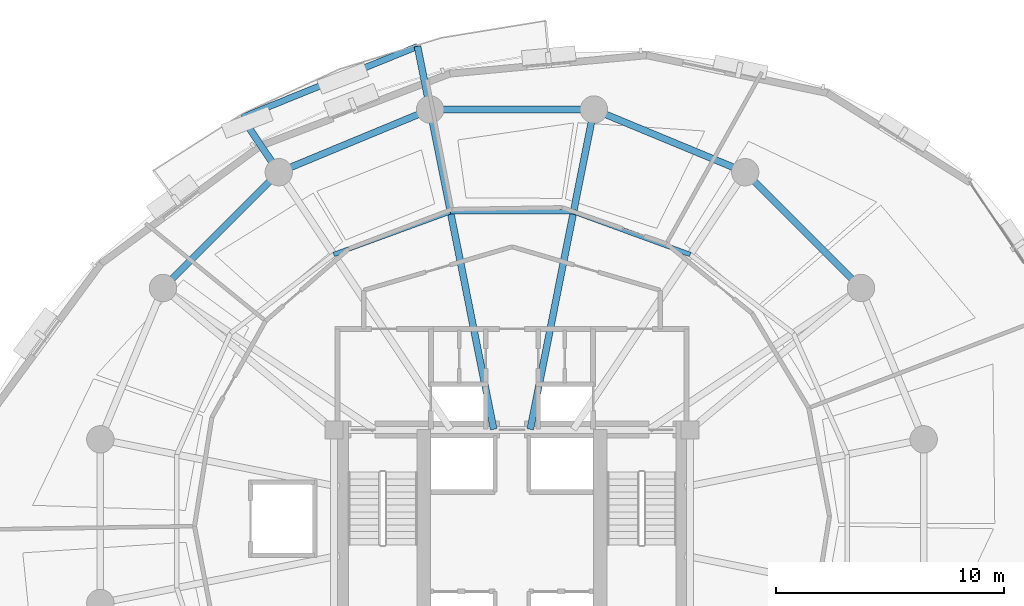
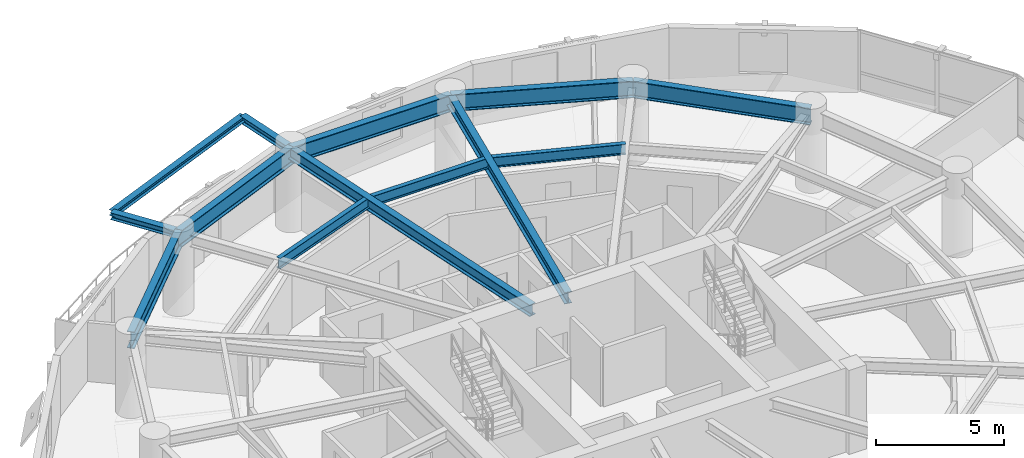
# One storey, part 7 of 15: 13 beams.
"""IFC4 building model written with IfcOpenShell, lengths in metres."""

from ifc_helpers import new_model, si_unit, direction, frame, origin, origin_2d, place, context, subcontext, project, spatial, i_section, extrude, material, material_profile, profile_set, type_object, element, save


model = new_model("IFC4")

# Units and contexts
model_context = context("Model", 3, precision=1e-05, world=origin(), true_north=direction((0.0, 1.0)))
body_context = subcontext(model_context, "Body", "Model", "MODEL_VIEW")
ifc_project = project(units=[si_unit("LENGTHUNIT", "METRE"), si_unit("AREAUNIT", "SQUARE_METRE"), si_unit("VOLUMEUNIT", "CUBIC_METRE"), si_unit("PLANEANGLEUNIT", "RADIAN"), si_unit("MASSUNIT", "GRAM", prefix="KILO"), si_unit("THERMODYNAMICTEMPERATUREUNIT", "KELVIN"), si_unit("POWERUNIT", "WATT")], contexts=[model_context])

# Site, building, storey
site_placement = place(None, origin())
site = spatial("IfcSite", under=ifc_project, at=site_placement, CompositionType="ELEMENT")
building_placement = place(site_placement, origin())
building = spatial("IfcBuilding", under=site, at=building_placement, Name="Ocrelia Relay Tower", CompositionType="ELEMENT")
storey_placement = place(building_placement, frame((0.0, 0.0, 121.800048828125)))
storey = spatial("IfcBuildingStorey", under=building, at=storey_placement, Name="L28", CompositionType="ELEMENT", Elevation=121.800048828125)

# Beams
ifc_material = material(Name="Steel S355", Category="steel")
ifc_material_profile_1 = material_profile(ifc_material, i_section(OverallWidth=0.280029296875, OverallDepth=0.27001953125, WebThickness=0.008056640625, FlangeThickness=0.012939453125, FilletRadius=0.02392578125, at=origin_2d()), Name="HEA 280")
ifc_profile_set_1 = profile_set([ifc_material_profile_1], Name="Steel S355")
beam_type_1 = type_object("IfcBeamType", Name="BM-HEA280", PredefinedType="BEAM", material=ifc_profile_set_1)
beam_1_placement = place(storey_placement, frame((29.859375, 46.81591796875, 3.5849609375), z_axis=(-0.926704083886, -0.375791885102, 0.0), x_axis=(0.375791885102, -0.926704083886, 0.0)))
element("IfcBeam", 1, at=beam_1_placement, inside=storey, type_object=beam_type_1, Name="L29 Balcony Edge Trimmer Beam B1", PredefinedType="BEAM", context=body_context, shape_type="SweptSolid", body=[
    extrude(i_section(OverallWidth=0.280029296875, OverallDepth=0.27001953125, WebThickness=0.008056640625, FlangeThickness=0.012939453125, FilletRadius=0.02392578125, at=origin_2d()), origin(), (0.0, 0.0, 1.0), 8.293701171875),
])
ifc_material_profile_2 = material_profile(ifc_material, i_section(OverallWidth=0.300048828125, OverallDepth=0.330078125, WebThickness=0.009521484375, FlangeThickness=0.0166015625, FilletRadius=0.027099609375, at=origin_2d()), Name="HEA 340")
ifc_profile_set_2 = profile_set([ifc_material_profile_2], Name="Steel S355")
beam_type_2 = type_object("IfcBeamType", Name="BM-HEA340", PredefinedType="BEAM", material=ifc_profile_set_2)
beam_2_placement = place(storey_placement, frame((30.410400390625, 44.04638671875, 3.554931640625), z_axis=(-0.19513507441, 0.980776377537, 0.0), x_axis=(-0.980776377537, -0.19513507441, 0.0)))
element("IfcBeam", 2, at=beam_2_placement, inside=storey, type_object=beam_type_2, Name="L29 Balcony Cantilever Beam B1-1", PredefinedType="BEAM", context=body_context, shape_type="SweptSolid", body=[
    extrude(i_section(OverallWidth=0.300048828125, OverallDepth=0.330078125, WebThickness=0.009521484375, FlangeThickness=0.0166015625, FilletRadius=0.027099609375, at=origin_2d()), origin(), (0.0, 0.0, 1.0), 2.82373046875),
])
beam_3_placement = place(storey_placement, frame((23.777587890625, 41.299072265625, 3.554931640625), z_axis=(-0.555636639828, 0.831425236856, 0.0), x_axis=(-0.831425236856, -0.555636639828, 0.0)))
element("IfcBeam", 3, at=beam_3_placement, inside=storey, type_object=beam_type_2, Name="L29 Balcony Cantilever Beam B1-2", PredefinedType="BEAM", context=body_context, shape_type="SweptSolid", body=[
    extrude(i_section(OverallWidth=0.300048828125, OverallDepth=0.330078125, WebThickness=0.009521484375, FlangeThickness=0.0166015625, FilletRadius=0.027099609375, at=origin_2d()), origin(), (0.0, 0.0, 1.0), 2.88671875),
])
ifc_material_profile_3 = material_profile(ifc_material, i_section(OverallWidth=0.300048828125, OverallDepth=0.550048828125, WebThickness=0.014892578125, FlangeThickness=0.029052734375, FilletRadius=0.027099609375, at=origin_2d()), Name="HEB 550")
ifc_profile_set_3 = profile_set([ifc_material_profile_3], Name="Steel S355")
beam_type_3 = type_object("IfcBeamType", Name="BM-HEB550", PredefinedType="BEAM", material=ifc_profile_set_3)
for number, where, z_axis, x_axis, name in (
    (4, (37.589599609375, 44.04638671875, 3.445068359375), (-0.195094300142, -0.980784489096, 0.0), (0.980784489096, -0.195094300142, 0.0), "L28 Radial Floor Girder R04"),
    (5, (30.410400390625, 44.04638671875, 3.445068359375), (0.195094300142, -0.980784489096, 0.0), (0.980784489096, 0.195094300142, 0.0), "L28 Radial Floor Girder R05"),
):
    element("IfcBeam", number, at=place(storey_placement, frame(where, z_axis=z_axis, x_axis=x_axis)), inside=storey, type_object=beam_type_3, Name=name, PredefinedType="BEAM", context=body_context, shape_type="SweptSolid", body=[
        extrude(i_section(OverallWidth=0.300048828125, OverallDepth=0.550048828125, WebThickness=0.014892578125, FlangeThickness=0.029052734375, FilletRadius=0.027099609375, at=origin_2d()), origin(), (0.0, 0.0, 1.0), 14.291015625),
    ])
ifc_material_profile_4 = material_profile(ifc_material, i_section(OverallWidth=0.300048828125, OverallDepth=0.800048828125, WebThickness=0.017578125, FlangeThickness=0.032958984375, FilletRadius=0.030029296875, at=origin_2d()), Name="HEB 800")
ifc_profile_set_4 = profile_set([ifc_material_profile_4], Name="Steel S355")
beam_type_4 = type_object("IfcBeamType", Name="BM-HEB800", PredefinedType="BEAM", material=ifc_profile_set_4)
beam_4_placement = place(storey_placement, frame((49.299072265625, 36.222412109375, 3.320068359375), z_axis=(-0.707106781187, 0.707106781187, 0.0), x_axis=(-0.707106781187, -0.707106781187, 0.0)))
element("IfcBeam", 6, at=beam_4_placement, inside=storey, type_object=beam_type_4, Name="L28 Perimeter Spandrel Beam S02", PredefinedType="BEAM", context=body_context, shape_type="SweptSolid", body=[
    extrude(i_section(OverallWidth=0.300048828125, OverallDepth=0.800048828125, WebThickness=0.017578125, FlangeThickness=0.032958984375, FilletRadius=0.030029296875, at=origin_2d()), origin(), (0.0, 0.0, 1.0), 7.179443359375),
])
for number, where, z_axis, x_axis, name in (
    (7, (44.222412109375, 41.299072265625, 3.320068359375), (-0.923883789366, 0.382673155247, 0.0), (-0.382673155247, -0.923883789366, 0.0), "L28 Perimeter Spandrel Beam S03"),
    (8, (37.589599609375, 44.04638671875, 3.320068359375), (-1.0, 0.0, 0.0), (0.0, -1.0, 0.0), "L28 Perimeter Spandrel Beam S04"),
    (9, (30.410400390625, 44.04638671875, 3.320068359375), (-0.923883789366, -0.382673155247, 0.0), (0.382673155247, -0.923883789366, 0.0), "L28 Perimeter Spandrel Beam S05"),
):
    element("IfcBeam", number, at=place(storey_placement, frame(where, z_axis=z_axis, x_axis=x_axis)), inside=storey, type_object=beam_type_4, Name=name, PredefinedType="BEAM", context=body_context, shape_type="SweptSolid", body=[
        extrude(i_section(OverallWidth=0.300048828125, OverallDepth=0.800048828125, WebThickness=0.017578125, FlangeThickness=0.032958984375, FilletRadius=0.030029296875, at=origin_2d()), origin(), (0.0, 0.0, 1.0), 7.17919921875),
    ])
beam_5_placement = place(storey_placement, frame((23.777587890625, 41.299072265625, 3.320068359375), z_axis=(-0.707106781187, -0.707106781187, 0.0), x_axis=(0.707106781187, -0.707106781187, 0.0)))
element("IfcBeam", 10, at=beam_5_placement, inside=storey, type_object=beam_type_4, Name="L28 Perimeter Spandrel Beam S06", PredefinedType="BEAM", context=body_context, shape_type="SweptSolid", body=[
    extrude(i_section(OverallWidth=0.300048828125, OverallDepth=0.800048828125, WebThickness=0.017578125, FlangeThickness=0.032958984375, FilletRadius=0.030029296875, at=origin_2d()), origin(), (0.0, 0.0, 1.0), 7.179443359375),
])
ifc_material_profile_5 = material_profile(ifc_material, i_section(OverallWidth=0.199951171875, OverallDepth=0.5, WebThickness=0.01025390625, FlangeThickness=0.01611328125, FilletRadius=0.02099609375, at=origin_2d()), Name="IPE 500")
ifc_profile_set_5 = profile_set([ifc_material_profile_5], Name="Steel S355")
beam_type_5 = type_object("IfcBeamType", Name="BM-IPE500", PredefinedType="JOIST", material=ifc_profile_set_5)
beam_6_placement = place(storey_placement, frame((41.81298828125, 37.69287109375, 3.469970703125), z_axis=(-0.93930687927, 0.34307810562, 0.0), x_axis=(-0.34307810562, -0.93930687927, 0.0)))
element("IfcBeam", 11, at=beam_6_placement, inside=storey, type_object=beam_type_5, Name="L28 Secondary Floor Joist J03", PredefinedType="JOIST", context=body_context, shape_type="SweptSolid", body=[
    extrude(i_section(OverallWidth=0.199951171875, OverallDepth=0.5, WebThickness=0.01025390625, FlangeThickness=0.01611328125, FilletRadius=0.02099609375, at=origin_2d()), origin(), (0.0, 0.0, 1.0), 5.446044921875),
])
beam_7_placement = place(storey_placement, frame((36.697509765625, 39.561279296875, 3.469970703125), z_axis=(-1.0, 0.0, 0.0), x_axis=(0.0, -1.0, 0.0)))
element("IfcBeam", 12, at=beam_7_placement, inside=storey, type_object=beam_type_5, Name="L28 Secondary Floor Joist J04", PredefinedType="JOIST", context=body_context, shape_type="SweptSolid", body=[
    extrude(i_section(OverallWidth=0.199951171875, OverallDepth=0.5, WebThickness=0.01025390625, FlangeThickness=0.01611328125, FilletRadius=0.02099609375, at=origin_2d()), origin(), (0.0, 0.0, 1.0), 5.39501953125),
])
beam_8_placement = place(storey_placement, frame((31.302490234375, 39.561279296875, 3.469970703125), z_axis=(-0.93930687927, -0.34307810562, 0.0), x_axis=(0.34307810562, -0.93930687927, 0.0)))
element("IfcBeam", 13, at=beam_8_placement, inside=storey, type_object=beam_type_5, Name="L28 Secondary Floor Joist J05", PredefinedType="JOIST", context=body_context, shape_type="SweptSolid", body=[
    extrude(i_section(OverallWidth=0.199951171875, OverallDepth=0.5, WebThickness=0.01025390625, FlangeThickness=0.01611328125, FilletRadius=0.02099609375, at=origin_2d()), origin(), (0.0, 0.0, 1.0), 5.446044921875),
])

save(model, "model.ifc")
